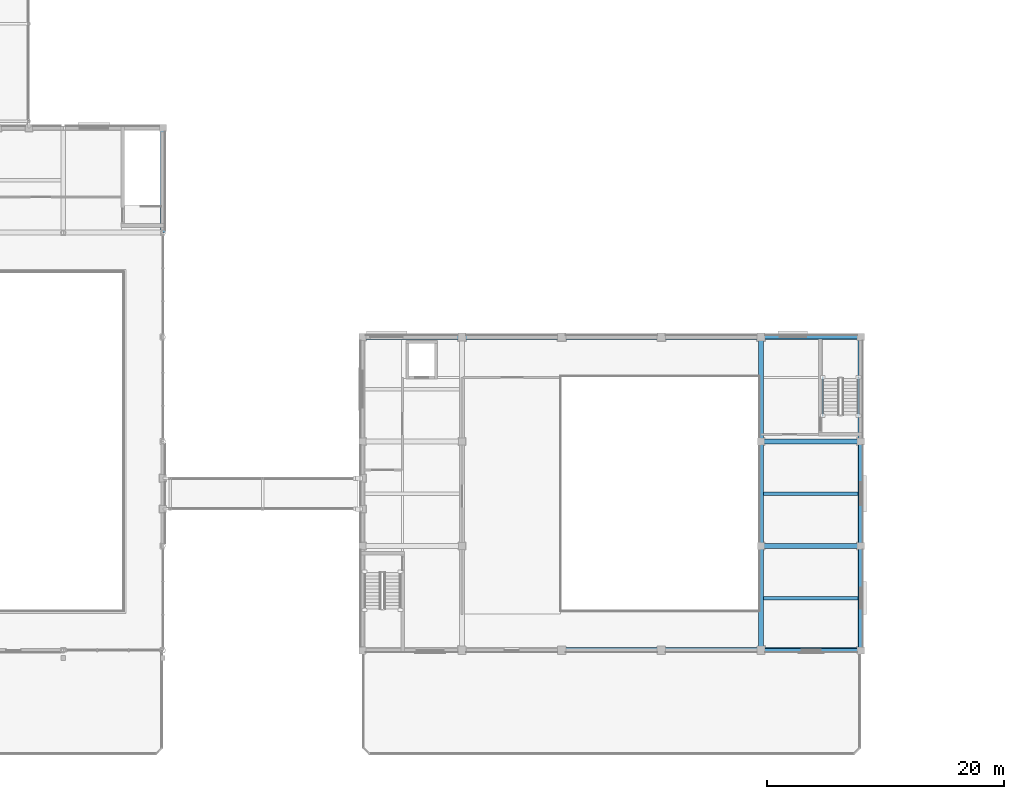
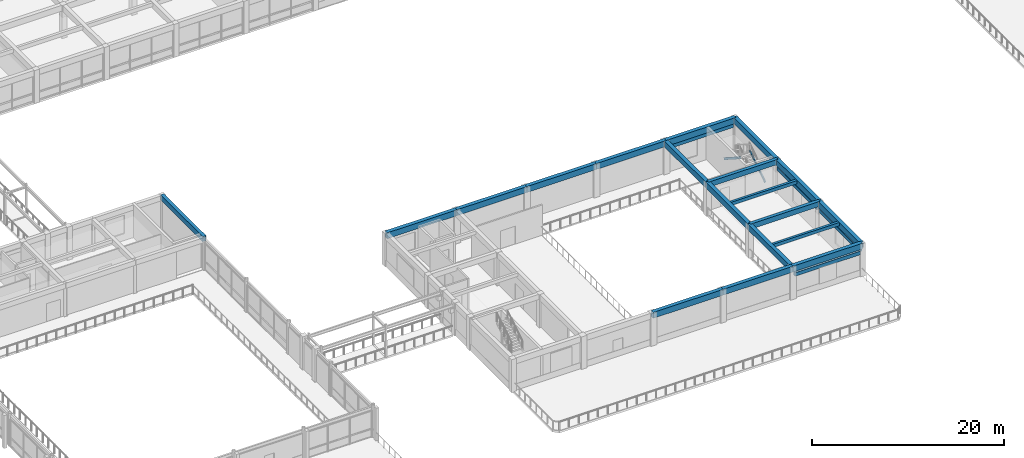
# One storey, part 15 of 57: 23 beams, 2 members.
"""IFC4 building model written with IfcOpenShell, lengths in metres."""

from ifc_helpers import new_model, si_unit, direction, frame, origin, origin_2d, place, context, subcontext, project, spatial, rectangle, hollow_rectangle, extrude, material, material_profile, profile_set, type_object, element, save


model = new_model("IFC4")

# Units and contexts
model_context = context("Model", 3, precision=1e-05, world=origin(), true_north=direction((0.0, 1.0)))
body_context = subcontext(model_context, "Body", "Model", "MODEL_VIEW")
ifc_project = project(units=[si_unit("LENGTHUNIT", "METRE"), si_unit("AREAUNIT", "SQUARE_METRE"), si_unit("VOLUMEUNIT", "CUBIC_METRE"), si_unit("PLANEANGLEUNIT", "RADIAN"), si_unit("MASSUNIT", "GRAM", prefix="KILO")], contexts=[model_context])

# Site, building, storey
site_placement = place(None, origin())
site = spatial("IfcSite", under=ifc_project, at=site_placement, CompositionType="ELEMENT")
building_placement = place(site_placement, origin())
building = spatial("IfcBuilding", under=site, at=building_placement, Name="Kemercrest Conservatory and Botanical Centre", CompositionType="ELEMENT")
storey_placement = place(building_placement, frame((0.0, 0.0, 4.800048828125)))
storey = spatial("IfcBuildingStorey", under=building, at=storey_placement, Name="L01", CompositionType="ELEMENT", Elevation=4.800048828125)

# Beams
ifc_material_1 = material(Name="Concrete C40/50", Category="concrete")
ifc_material_profile_1 = material_profile(ifc_material_1, rectangle(XDim=0.39990234375, YDim=0.64990234375, at=origin_2d()), Name="RC 400x650")
ifc_profile_set_1 = profile_set([ifc_material_profile_1], Name="Concrete C40/50")
beam_type_1 = type_object("IfcBeamType", Name="BM-RC65", PredefinedType="BEAM", material=ifc_profile_set_1)
for number, where, z_axis, x_axis, name in (
    (1, (92.0, 25.60009765625, 3.875), (1.0, 0.0, 0.0), (0.0, 1.0, 0.0), "V2E-L02 beam BM-RC65 C/11-12"),
    (2, (92.0, 34.39990234375, 3.875), (1.0, 0.0, 0.0), (0.0, 1.0, 0.0), "V2E-L02 beam BM-RC65 D/11-12"),
):
    element("IfcBeam", number, at=place(storey_placement, frame(where, z_axis=z_axis, x_axis=x_axis)), inside=storey, type_object=beam_type_1, Name=name, PredefinedType="BEAM", context=body_context, shape_type="SweptSolid", body=[
        extrude(rectangle(XDim=0.39990234375, YDim=0.64990234375, at=origin_2d()), origin(), (0.0, 0.0, 1.0), 8.39990234375),
    ])
ifc_material_profile_2 = material_profile(ifc_material_1, rectangle(XDim=0.300048828125, YDim=0.419921875, at=origin_2d()), Name="RC 300x420")
ifc_profile_set_2 = profile_set([ifc_material_profile_2], Name="Concrete C40/50")
beam_type_2 = type_object("IfcBeamType", Name="JS-RC42", PredefinedType="JOIST", material=ifc_profile_set_2)
for number, where, z_axis, x_axis, name in (
    (3, (92.22509765625, 21.199951171875, 3.989990234375), (1.0, 0.0, 0.0), (0.0, 1.0, 0.0), "V2E-L02 secondary joist JS-RC42"),
    (4, (92.22509765625, 30.0, 3.989990234375), (1.0, 0.0, 0.0), (0.0, 1.0, 0.0), "V2E-L02 secondary joist JS-RC42"),
):
    element("IfcBeam", number, at=place(storey_placement, frame(where, z_axis=z_axis, x_axis=x_axis)), inside=storey, type_object=beam_type_2, Name=name, PredefinedType="JOIST", context=body_context, shape_type="SweptSolid", body=[
        extrude(rectangle(XDim=0.300048828125, YDim=0.419921875, at=origin_2d()), origin(), (0.0, 0.0, 1.0), 7.949951171875),
    ])
ifc_material_2 = material(Name="Precast concrete C40/50", Category="concrete")
ifc_material_profile_3 = material_profile(ifc_material_2, rectangle(XDim=0.35009765625, YDim=0.449951171875, at=origin_2d()), Name="RC 350x450")
ifc_profile_set_3 = profile_set([ifc_material_profile_3], Name="Precast concrete C40/50")
beam_type_3 = type_object("IfcBeamType", Name="LN-RC46", PredefinedType="LINTEL", material=ifc_profile_set_3)
beam_1_placement = place(storey_placement, frame((92.300048828125, 16.800048828125, 3.0048828125), z_axis=(1.0, 0.0, 0.0), x_axis=(0.0, 1.0, 0.0)))
element("IfcBeam", 5, at=beam_1_placement, inside=storey, type_object=beam_type_3, Name="Precast arched window lintel (WIN:L01:EXT-041)", PredefinedType="LINTEL", context=body_context, shape_type="SweptSolid", body=[
    extrude(rectangle(XDim=0.35009765625, YDim=0.449951171875, at=origin_2d()), origin(), (0.0, 0.0, 1.0), 7.849853515625),
])
beam_2_placement = place(storey_placement, frame((100.39990234375, 17.050048828125, 3.06494140625), z_axis=(0.0, 1.0, 0.0), x_axis=(-1.0, 0.0, 0.0)))
element("IfcBeam", 6, at=beam_2_placement, inside=storey, type_object=beam_type_3, Name="Precast arched window lintel (WIN:L01:EXT-042)", PredefinedType="LINTEL", context=body_context, shape_type="SweptSolid", body=[
    extrude(rectangle(XDim=0.35009765625, YDim=0.449951171875, at=origin_2d()), origin(), (0.0, 0.0, 1.0), 8.300048828125),
])
beam_3_placement = place(storey_placement, frame((100.39990234375, 25.85009765625, 3.10498046875), z_axis=(0.0, 1.0, 0.0), x_axis=(-1.0, 0.0, 0.0)))
element("IfcBeam", 7, at=beam_3_placement, inside=storey, type_object=beam_type_3, Name="Precast arched window lintel (WIN:L01:EXT-043)", PredefinedType="LINTEL", context=body_context, shape_type="SweptSolid", body=[
    extrude(rectangle(XDim=0.35009765625, YDim=0.449951171875, at=origin_2d()), origin(), (0.0, 0.0, 1.0), 8.2998046875),
])
beam_4_placement = place(storey_placement, frame((100.14990234375, 43.199951171875, 3.204833984375), z_axis=(-1.0, 0.0, 0.0), x_axis=(0.0, -1.0, 0.0)))
element("IfcBeam", 8, at=beam_4_placement, inside=storey, type_object=beam_type_3, Name="Precast arched window lintel (WIN:L01:EXT-045)", PredefinedType="LINTEL", context=body_context, shape_type="SweptSolid", body=[
    extrude(rectangle(XDim=0.35009765625, YDim=0.449951171875, at=origin_2d()), origin(), (0.0, 0.0, 1.0), 7.849853515625),
])
ifc_material_profile_4 = material_profile(ifc_material_1, rectangle(XDim=0.39990234375, YDim=0.64990234375, at=origin_2d()), Name="RC 400x650")
ifc_profile_set_4 = profile_set([ifc_material_profile_4], Name="Concrete C40/50")
beam_type_4 = type_object("IfcBeamType", Name="SP-RC65", PredefinedType="SPANDREL", material=ifc_profile_set_4)
beam_5_placement = place(storey_placement, frame((41.60009765625, 52.0, 3.875), z_axis=(0.0, 1.0, 0.0), x_axis=(-1.0, 0.0, 0.0)))
element("IfcBeam", 9, at=beam_5_placement, inside=storey, type_object=beam_type_4, Name="V1BAR-L02 beam SP-RC65 05/F-G", PredefinedType="SPANDREL", context=body_context, shape_type="SweptSolid", body=[
    extrude(rectangle(XDim=0.39990234375, YDim=0.64990234375, at=origin_2d()), origin(), (0.0, 0.0, 1.0), 8.800048828125),
])
ifc_material_profile_5 = material_profile(ifc_material_1, rectangle(XDim=0.449951171875, YDim=0.75, at=origin_2d()), Name="RC 450x750")
ifc_profile_set_5 = profile_set([ifc_material_profile_5], Name="Concrete C40/50")
beam_type_5 = type_object("IfcBeamType", Name="SP-RC75", PredefinedType="SPANDREL", material=ifc_profile_set_5)
beam_6_placement = place(storey_placement, frame((58.39990234375, 43.199951171875, 3.824951171875), z_axis=(1.0, 0.0, 0.0), x_axis=(0.0, 1.0, 0.0)))
element("IfcBeam", 10, at=beam_6_placement, inside=storey, type_object=beam_type_5, Name="V2W-L02 beam SP-RC75 E/07-08", PredefinedType="SPANDREL", context=body_context, shape_type="SweptSolid", body=[
    extrude(rectangle(XDim=0.449951171875, YDim=0.75, at=origin_2d()), origin(), (0.0, 0.0, 1.0), 8.400146484375),
])
for number, where, z_axis, x_axis, name in (
    (11, (92.0, 16.800048828125, 3.824951171875), (1.0, 0.0, 0.0), (0.0, 1.0, 0.0), "V2E-L02 beam SP-RC75 B/11-12"),
    (12, (92.0, 43.199951171875, 3.824951171875), (1.0, 0.0, 0.0), (0.0, 1.0, 0.0), "V2E-L02 beam SP-RC75 E/11-12"),
):
    element("IfcBeam", number, at=place(storey_placement, frame(where, z_axis=z_axis, x_axis=x_axis)), inside=storey, type_object=beam_type_5, Name=name, PredefinedType="SPANDREL", context=body_context, shape_type="SweptSolid", body=[
        extrude(rectangle(XDim=0.449951171875, YDim=0.75, at=origin_2d()), origin(), (0.0, 0.0, 1.0), 8.39990234375),
    ])
beam_7_placement = place(storey_placement, frame((92.0, 16.800048828125, 3.824951171875), z_axis=(0.0, 1.0, 0.0), x_axis=(-1.0, 0.0, 0.0)))
element("IfcBeam", 13, at=beam_7_placement, inside=storey, type_object=beam_type_5, Name="V2E-L02 beam SP-RC75 11/B-C", PredefinedType="SPANDREL", context=body_context, shape_type="SweptSolid", body=[
    extrude(rectangle(XDim=0.449951171875, YDim=0.75, at=origin_2d()), origin(), (0.0, 0.0, 1.0), 8.800048828125),
])
beam_8_placement = place(storey_placement, frame((92.0, 25.60009765625, 3.824951171875), z_axis=(0.0, 1.0, 0.0), x_axis=(-1.0, 0.0, 0.0)))
element("IfcBeam", 14, at=beam_8_placement, inside=storey, type_object=beam_type_5, Name="V2E-L02 beam SP-RC75 11/C-D", PredefinedType="SPANDREL", context=body_context, shape_type="SweptSolid", body=[
    extrude(rectangle(XDim=0.449951171875, YDim=0.75, at=origin_2d()), origin(), (0.0, 0.0, 1.0), 8.7998046875),
])
for number, where, z_axis, x_axis, name in (
    (15, (92.0, 34.39990234375, 3.824951171875), (0.0, 1.0, 0.0), (-1.0, 0.0, 0.0), "V2E-L02 beam SP-RC75 11/D-E"),
    (16, (100.39990234375, 16.800048828125, 3.824951171875), (0.0, 1.0, 0.0), (-1.0, 0.0, 0.0), "V2E-L02 beam SP-RC75 12/B-C"),
):
    element("IfcBeam", number, at=place(storey_placement, frame(where, z_axis=z_axis, x_axis=x_axis)), inside=storey, type_object=beam_type_5, Name=name, PredefinedType="SPANDREL", context=body_context, shape_type="SweptSolid", body=[
        extrude(rectangle(XDim=0.449951171875, YDim=0.75, at=origin_2d()), origin(), (0.0, 0.0, 1.0), 8.800048828125),
    ])
beam_9_placement = place(storey_placement, frame((100.39990234375, 25.60009765625, 3.824951171875), z_axis=(0.0, 1.0, 0.0), x_axis=(-1.0, 0.0, 0.0)))
element("IfcBeam", 17, at=beam_9_placement, inside=storey, type_object=beam_type_5, Name="V2E-L02 beam SP-RC75 12/C-D", PredefinedType="SPANDREL", context=body_context, shape_type="SweptSolid", body=[
    extrude(rectangle(XDim=0.449951171875, YDim=0.75, at=origin_2d()), origin(), (0.0, 0.0, 1.0), 8.7998046875),
])
beam_10_placement = place(storey_placement, frame((100.39990234375, 34.39990234375, 3.824951171875), z_axis=(0.0, 1.0, 0.0), x_axis=(-1.0, 0.0, 0.0)))
element("IfcBeam", 18, at=beam_10_placement, inside=storey, type_object=beam_type_5, Name="V2E-L02 beam SP-RC75 12/D-E", PredefinedType="SPANDREL", context=body_context, shape_type="SweptSolid", body=[
    extrude(rectangle(XDim=0.449951171875, YDim=0.75, at=origin_2d()), origin(), (0.0, 0.0, 1.0), 8.800048828125),
])
beam_11_placement = place(storey_placement, frame((75.199951171875, 16.800048828125, 3.824951171875), z_axis=(1.0, 0.0, 0.0), x_axis=(0.0, 1.0, 0.0)))
element("IfcBeam", 19, at=beam_11_placement, inside=storey, type_object=beam_type_5, Name="Auditorium perimeter spandrel beam", PredefinedType="SPANDREL", context=body_context, shape_type="SweptSolid", body=[
    extrude(rectangle(XDim=0.449951171875, YDim=0.75, at=origin_2d()), origin(), (0.0, 0.0, 1.0), 8.400146484375),
])
for number, where, z_axis, x_axis, name in (
    (20, (83.60009765625, 16.800048828125, 3.824951171875), (1.0, 0.0, 0.0), (0.0, 1.0, 0.0), "Auditorium perimeter spandrel beam"),
    (21, (66.800048828125, 43.199951171875, 3.824951171875), (1.0, 0.0, 0.0), (0.0, 1.0, 0.0), "Auditorium perimeter spandrel beam"),
):
    element("IfcBeam", number, at=place(storey_placement, frame(where, z_axis=z_axis, x_axis=x_axis)), inside=storey, type_object=beam_type_5, Name=name, PredefinedType="SPANDREL", context=body_context, shape_type="SweptSolid", body=[
        extrude(rectangle(XDim=0.449951171875, YDim=0.75, at=origin_2d()), origin(), (0.0, 0.0, 1.0), 8.39990234375),
    ])
beam_12_placement = place(storey_placement, frame((75.199951171875, 43.199951171875, 3.824951171875), z_axis=(1.0, 0.0, 0.0), x_axis=(0.0, 1.0, 0.0)))
element("IfcBeam", 22, at=beam_12_placement, inside=storey, type_object=beam_type_5, Name="Auditorium perimeter spandrel beam", PredefinedType="SPANDREL", context=body_context, shape_type="SweptSolid", body=[
    extrude(rectangle(XDim=0.449951171875, YDim=0.75, at=origin_2d()), origin(), (0.0, 0.0, 1.0), 8.400146484375),
])
beam_13_placement = place(storey_placement, frame((83.60009765625, 43.199951171875, 3.824951171875), z_axis=(1.0, 0.0, 0.0), x_axis=(0.0, 1.0, 0.0)))
element("IfcBeam", 23, at=beam_13_placement, inside=storey, type_object=beam_type_5, Name="Auditorium perimeter spandrel beam", PredefinedType="SPANDREL", context=body_context, shape_type="SweptSolid", body=[
    extrude(rectangle(XDim=0.449951171875, YDim=0.75, at=origin_2d()), origin(), (0.0, 0.0, 1.0), 8.39990234375),
])

# Members
ifc_material_3 = material(Name="Steel CSA G40.21 350W", Category="steel")
ifc_material_profile_6 = material_profile(ifc_material_3, hollow_rectangle(XDim=0.15234375, YDim=0.25390625, WallThickness=0.009521484375, InnerFilletRadius=0.009521484375, OuterFilletRadius=0.01904296875, at=origin_2d()), Name="HSS 254x152x9.5")
ifc_profile_set_6 = profile_set([ifc_material_profile_6], Name="Steel CSA G40.21 350W")
member_type = type_object("IfcMemberType", Name="SR-STR254", PredefinedType="STRINGER", material=ifc_profile_set_6)
member_1_placement = place(storey_placement, frame((100.2099609375, 36.56005859375, -0.10009765625), z_axis=(0.0, 0.84150589802, 0.540247927898), x_axis=(-1.0, 0.0, 0.0)))
element("IfcMember", 24, at=member_1_placement, inside=storey, type_object=member_type, Name="Stair ST-V2B steel stringer #19", PredefinedType="STRINGER", context=body_context, shape_type="SweptSolid", body=[
    extrude(hollow_rectangle(XDim=0.15234375, YDim=0.25390625, WallThickness=0.009521484375, InnerFilletRadius=0.009521484375, OuterFilletRadius=0.01904296875, at=origin_2d()), origin(), (0.0, 0.0, 1.0), 3.850341796875),
])
member_2_placement = place(storey_placement, frame((97.18994140625, 36.56005859375, 4.079833984375), z_axis=(0.0, 0.841534725098, -0.540203023367), x_axis=(-1.0, 0.0, 0.0)))
element("IfcMember", 25, at=member_2_placement, inside=storey, type_object=member_type, Name="Stair ST-V2B steel stringer #20", PredefinedType="STRINGER", context=body_context, shape_type="SweptSolid", body=[
    extrude(hollow_rectangle(XDim=0.15234375, YDim=0.25390625, WallThickness=0.009521484375, InnerFilletRadius=0.009521484375, OuterFilletRadius=0.01904296875, at=origin_2d()), origin(), (0.0, 0.0, 1.0), 3.85009765625),
])

save(model, "model.ifc")
